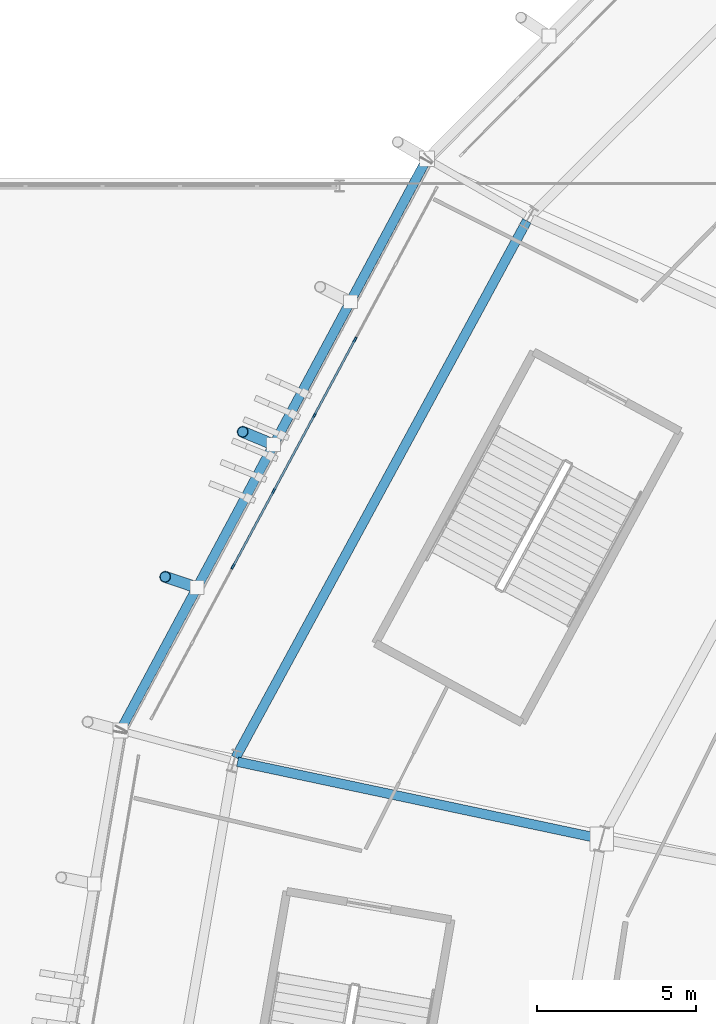
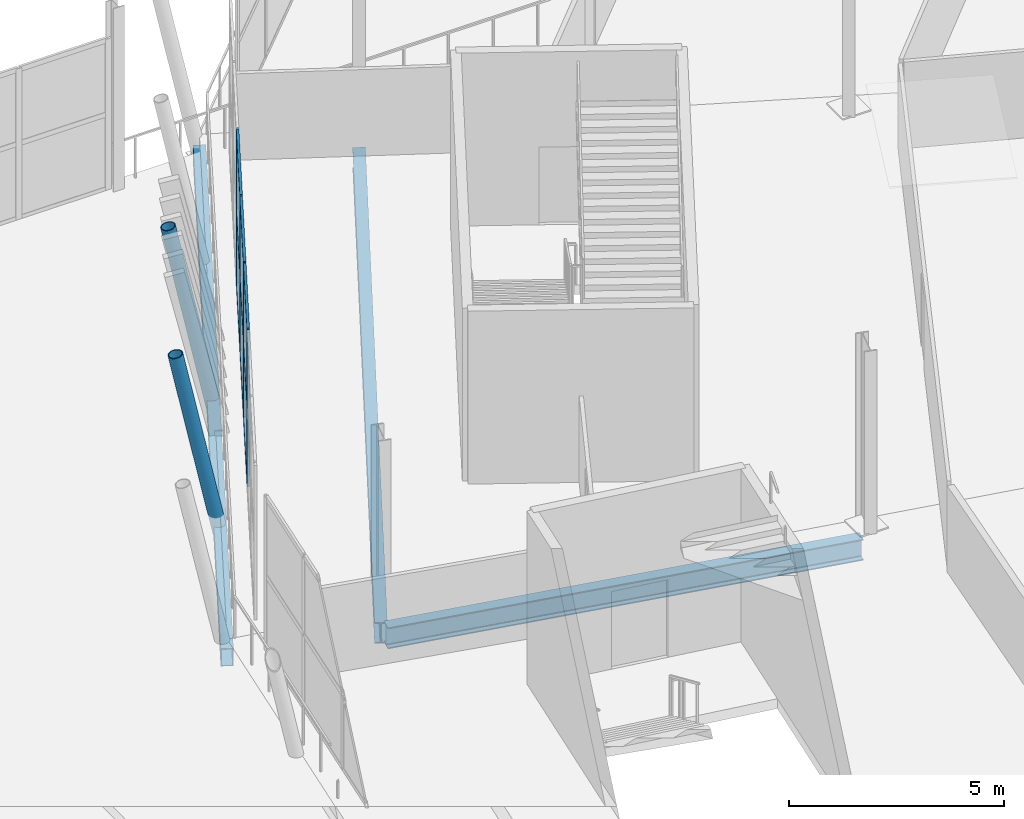
# One storey, part 41 of 168: 15 members, 3 beams, 1 element without a shape of its own.
"""IFC4 building model written with IfcOpenShell, lengths in metres."""

from ifc_helpers import new_model, si_unit, direction, frame, origin, origin_2d, place, context, subcontext, project, spatial, rectangle, hollow_rectangle, hollow_circle, i_section, extrude, material, material_profile, profile_set, type_object, element, aggregate, save


model = new_model("IFC4")

# Units and contexts
model_context = context("Model", 3, precision=1e-05, world=origin(), true_north=direction((0.0, 1.0)))
body_context = subcontext(model_context, "Body", "Model", "MODEL_VIEW")
ifc_project = project(units=[si_unit("LENGTHUNIT", "METRE"), si_unit("AREAUNIT", "SQUARE_METRE"), si_unit("VOLUMEUNIT", "CUBIC_METRE"), si_unit("PLANEANGLEUNIT", "RADIAN"), si_unit("MASSUNIT", "GRAM", prefix="KILO")], contexts=[model_context])

# Site, building, storey
site_placement = place(None, origin())
site = spatial("IfcSite", under=ifc_project, at=site_placement, CompositionType="ELEMENT")
building_placement = place(site_placement, origin())
building = spatial("IfcBuilding", under=site, at=building_placement, Name="Zlatoyarsky Gate Stadium", CompositionType="ELEMENT")
storey_placement = place(building_placement, frame((0.0, 0.0, 15.60009765625)))
storey = spatial("IfcBuildingStorey", under=building, at=storey_placement, Name="L03", CompositionType="ELEMENT", Elevation=15.60009765625)

# Curtain wall, members
ifc_material_1 = material(Name="Thermally broken anodised aluminium curtain wall", Category="aluminium")
curtain_wall_type = type_object("IfcCurtainWallType", Name="UNITISED CORPORATE BOX GLAZING L03", PredefinedType="USERDEFINED", material=ifc_material_1)
curtain_wall_placement = place(storey_placement, origin())
curtain_wall = element("IfcCurtainWall", 1, at=curtain_wall_placement, inside=storey, type_object=curtain_wall_type, Name="Curtain wall CW-L03-10", ObjectType="UNITISED GLAZING", PredefinedType="USERDEFINED")
ifc_material_2 = material(Name="Anodised aluminium 6063-T6", Category="aluminium")
ifc_material_profile_1 = material_profile(ifc_material_2, rectangle(XDim=0.06494140625, YDim=0.159912109375, at=origin_2d()), Name="ALU 65X160")
ifc_profile_set_1 = profile_set([ifc_material_profile_1], Name="Anodised aluminium 6063-T6")
member_type_1 = type_object("IfcMemberType", Name="ALUMINIUM MULLION 65X160", PredefinedType="MULLION", material=ifc_profile_set_1)
member_1_placement = place(storey_placement, frame((24.987548828125, 111.65625, 0.0), z_axis=(0.0, 0.0, 1.0), x_axis=(0.880877202392, -0.473344857694, 0.0)))
member_1 = element("IfcMember", 2, at=member_1_placement, type_object=member_type_1, Name="CW-UG3 mullion 3", PredefinedType="MULLION", context=body_context, shape_type="SweptSolid", body=[
    extrude(rectangle(XDim=0.06494140625, YDim=0.159912109375, at=origin_2d()), origin(), (0.0, 0.0, 1.0), 4.3798828125),
])
member_2_placement = place(storey_placement, frame((23.705322265625, 109.270263671875, 0.0), z_axis=(0.0, 0.0, 1.0), x_axis=(0.880877202392, -0.473344857694, 0.0)))
member_2 = element("IfcMember", 3, at=member_2_placement, type_object=member_type_1, Name="CW-UG3 mullion 4", PredefinedType="MULLION", context=body_context, shape_type="SweptSolid", body=[
    extrude(rectangle(XDim=0.06494140625, YDim=0.159912109375, at=origin_2d()), origin(), (0.0, 0.0, 1.0), 4.3798828125),
])
member_3_placement = place(storey_placement, frame((22.42333984375, 106.884033203125, 0.0), z_axis=(0.0, 0.0, 1.0), x_axis=(0.880877202392, -0.473344857694, 0.0)))
member_3 = element("IfcMember", 4, at=member_3_placement, type_object=member_type_1, Name="CW-UG3 mullion 5", PredefinedType="MULLION", context=body_context, shape_type="SweptSolid", body=[
    extrude(rectangle(XDim=0.06494140625, YDim=0.159912109375, at=origin_2d()), origin(), (0.0, 0.0, 1.0), 4.3798828125),
])
member_4_placement = place(storey_placement, frame((21.14111328125, 104.498046875, 0.0), z_axis=(0.0, 0.0, 1.0), x_axis=(0.880877202392, -0.473344857694, 0.0)))
member_4 = element("IfcMember", 5, at=member_4_placement, type_object=member_type_1, Name="CW-UG3 mullion 6", PredefinedType="MULLION", context=body_context, shape_type="SweptSolid", body=[
    extrude(rectangle(XDim=0.06494140625, YDim=0.159912109375, at=origin_2d()), origin(), (0.0, 0.0, 1.0), 4.3798828125),
])
ifc_material_profile_2 = material_profile(ifc_material_2, rectangle(XDim=0.06494140625, YDim=0.139892578125, at=origin_2d()), Name="ALU 65X140")
ifc_profile_set_2 = profile_set([ifc_material_profile_2], Name="Anodised aluminium 6063-T6")
member_type_2 = type_object("IfcMemberType", Name="ALUMINIUM TRANSOM 65X140", PredefinedType="USERDEFINED", material=ifc_profile_set_2)
member_5_placement = place(storey_placement, frame((24.97216796875, 111.627685546875, 0.032470703125), z_axis=(-0.473284583402, -0.880909588502, 0.0), x_axis=(0.880909588502, -0.473284583402, 0.0)))
member_5 = element("IfcMember", 6, at=member_5_placement, type_object=member_type_2, Name="CW-UG3 transom 3.1", ObjectType="TRANSOM", PredefinedType="USERDEFINED", context=body_context, shape_type="SweptSolid", body=[
    extrude(rectangle(XDim=0.06494140625, YDim=0.139892578125, at=origin_2d()), origin(), (0.0, 0.0, 1.0), 2.643798828125),
])
member_6_placement = place(storey_placement, frame((24.97216796875, 111.627685546875, 2.14990234375), z_axis=(-0.473284583402, -0.880909588502, 0.0), x_axis=(0.880909588502, -0.473284583402, 0.0)))
member_6 = element("IfcMember", 7, at=member_6_placement, type_object=member_type_2, Name="CW-UG3 transom 3.2", ObjectType="TRANSOM", PredefinedType="USERDEFINED", context=body_context, shape_type="SweptSolid", body=[
    extrude(rectangle(XDim=0.06494140625, YDim=0.139892578125, at=origin_2d()), origin(), (0.0, 0.0, 1.0), 2.643798828125),
])
member_7_placement = place(storey_placement, frame((24.97216796875, 111.627685546875, 4.347412109375), z_axis=(-0.473284583402, -0.880909588502, 0.0), x_axis=(0.880909588502, -0.473284583402, 0.0)))
member_7 = element("IfcMember", 8, at=member_7_placement, type_object=member_type_2, Name="CW-UG3 transom 3.3", ObjectType="TRANSOM", PredefinedType="USERDEFINED", context=body_context, shape_type="SweptSolid", body=[
    extrude(rectangle(XDim=0.06494140625, YDim=0.139892578125, at=origin_2d()), origin(), (0.0, 0.0, 1.0), 2.643798828125),
])
member_8_placement = place(storey_placement, frame((23.68994140625, 109.241455078125, 0.032470703125), z_axis=(-0.473323087984, -0.880888900135, 0.0), x_axis=(0.880888900135, -0.473323087984, 0.0)))
member_8 = element("IfcMember", 9, at=member_8_placement, type_object=member_type_2, Name="CW-UG3 transom 4.1", ObjectType="TRANSOM", PredefinedType="USERDEFINED", context=body_context, shape_type="SweptSolid", body=[
    extrude(rectangle(XDim=0.06494140625, YDim=0.139892578125, at=origin_2d()), origin(), (0.0, 0.0, 1.0), 2.6435546875),
])
member_9_placement = place(storey_placement, frame((23.68994140625, 109.241455078125, 2.14990234375), z_axis=(-0.473323087984, -0.880888900135, 0.0), x_axis=(0.880888900135, -0.473323087984, 0.0)))
member_9 = element("IfcMember", 10, at=member_9_placement, type_object=member_type_2, Name="CW-UG3 transom 4.2", ObjectType="TRANSOM", PredefinedType="USERDEFINED", context=body_context, shape_type="SweptSolid", body=[
    extrude(rectangle(XDim=0.06494140625, YDim=0.139892578125, at=origin_2d()), origin(), (0.0, 0.0, 1.0), 2.6435546875),
])
member_10_placement = place(storey_placement, frame((23.68994140625, 109.241455078125, 4.347412109375), z_axis=(-0.473323087984, -0.880888900135, 0.0), x_axis=(0.880888900135, -0.473323087984, 0.0)))
member_10 = element("IfcMember", 11, at=member_10_placement, type_object=member_type_2, Name="CW-UG3 transom 4.3", ObjectType="TRANSOM", PredefinedType="USERDEFINED", context=body_context, shape_type="SweptSolid", body=[
    extrude(rectangle(XDim=0.06494140625, YDim=0.139892578125, at=origin_2d()), origin(), (0.0, 0.0, 1.0), 2.6435546875),
])
member_11_placement = place(storey_placement, frame((22.407958984375, 106.85546875, 0.032470703125), z_axis=(-0.473356241073, -0.880871085368, 0.0), x_axis=(0.880871085368, -0.473356241073, 0.0)))
member_11 = element("IfcMember", 12, at=member_11_placement, type_object=member_type_2, Name="CW-UG3 transom 5.1", ObjectType="TRANSOM", PredefinedType="USERDEFINED", context=body_context, shape_type="SweptSolid", body=[
    extrude(rectangle(XDim=0.06494140625, YDim=0.139892578125, at=origin_2d()), origin(), (0.0, 0.0, 1.0), 2.643798828125),
])
member_12_placement = place(storey_placement, frame((22.407958984375, 106.85546875, 2.14990234375), z_axis=(-0.473356241073, -0.880871085368, 0.0), x_axis=(0.880871085368, -0.473356241073, 0.0)))
member_12 = element("IfcMember", 13, at=member_12_placement, type_object=member_type_2, Name="CW-UG3 transom 5.2", ObjectType="TRANSOM", PredefinedType="USERDEFINED", context=body_context, shape_type="SweptSolid", body=[
    extrude(rectangle(XDim=0.06494140625, YDim=0.139892578125, at=origin_2d()), origin(), (0.0, 0.0, 1.0), 2.643798828125),
])
member_13_placement = place(storey_placement, frame((22.407958984375, 106.85546875, 4.347412109375), z_axis=(-0.473356241073, -0.880871085368, 0.0), x_axis=(0.880871085368, -0.473356241073, 0.0)))
member_13 = element("IfcMember", 14, at=member_13_placement, type_object=member_type_2, Name="CW-UG3 transom 5.3", ObjectType="TRANSOM", PredefinedType="USERDEFINED", context=body_context, shape_type="SweptSolid", body=[
    extrude(rectangle(XDim=0.06494140625, YDim=0.139892578125, at=origin_2d()), origin(), (0.0, 0.0, 1.0), 2.643798828125),
])
aggregate(curtain_wall, [member_1, member_2, member_3, member_4, member_5, member_6, member_7, member_8, member_9, member_10, member_11, member_12, member_13])

# Members
ifc_material_3 = material(Name="Steel S355", Category="steel")
ifc_material_profile_3 = material_profile(ifc_material_3, hollow_circle(Radius=0.177734375, WallThickness=0.02001953125, at=origin_2d()), Name="CHS 355.6X20")
ifc_profile_set_3 = profile_set([ifc_material_profile_3], Name="Steel S355")
member_type_3 = type_object("IfcMemberType", Name="STEEL LEANING RIB RING STRUT CHS 355.6X20", PredefinedType="STRUT", material=ifc_profile_set_3)
member_14_placement = place(storey_placement, frame((22.423095703125, 108.3427734375, -0.530029296875), z_axis=(-0.184942906373, 0.076609308782, 0.97975871274), x_axis=(-0.382698137168, -0.923873441445, 0.0)))
element("IfcMember", 15, at=member_14_placement, inside=storey, type_object=member_type_3, Name="Outward-leaning bowl louvre fin rib L03 10-2", PredefinedType="STRUT", context=body_context, shape_type="SweptSolid", body=[
    extrude(hollow_circle(Radius=0.177734375, WallThickness=0.02001953125, at=origin_2d()), origin(), (0.0, 0.0, 1.0), 5.286865234375),
])
member_15_placement = place(storey_placement, frame((20.008056640625, 103.838623046875, -0.530029296875), z_axis=(-0.189960366827, 0.064412909996, 0.979676495615), x_axis=(-0.321126768229, -0.947036218276, 0.0)))
element("IfcMember", 16, at=member_15_placement, inside=storey, type_object=member_type_3, Name="Outward-leaning bowl louvre fin rib L03 10-3", PredefinedType="STRUT", context=body_context, shape_type="SweptSolid", body=[
    extrude(hollow_circle(Radius=0.177734375, WallThickness=0.02001953125, at=origin_2d()), origin(), (0.0, 0.0, 1.0), 5.287353515625),
])

# Beams
ifc_material_profile_4 = material_profile(ifc_material_3, hollow_rectangle(XDim=0.300048828125, YDim=0.5, WallThickness=0.02001953125, at=origin_2d()), Name="RHS 500X300X20")
ifc_profile_set_4 = profile_set([ifc_material_profile_4], Name="Steel S355")
beam_type_1 = type_object("IfcBeamType", Name="STEEL LOUVRE CARRIER SPANDREL RHS 500X300X20", PredefinedType="SPANDREL", material=ifc_profile_set_4)
beam_1_placement = place(storey_placement, frame((27.243896484375, 117.33349609375, -0.530029296875), z_axis=(-0.472552104089, -0.88130273398, 0.0), x_axis=(0.88130273398, -0.472552104089, 0.0)))
element("IfcBeam", 17, at=beam_1_placement, inside=storey, type_object=beam_type_1, Name="Beam SP-RHS500 BM-L03-SPD-10", PredefinedType="SPANDREL", context=body_context, shape_type="SweptSolid", body=[
    extrude(hollow_rectangle(XDim=0.300048828125, YDim=0.5, WallThickness=0.02001953125, at=origin_2d()), origin(), (0.0, 0.0, 1.0), 20.4033203125),
])
ifc_material_profile_5 = material_profile(ifc_material_3, i_section(OverallWidth=0.300048828125, OverallDepth=0.60009765625, WebThickness=0.015380859375, FlangeThickness=0.030029296875, FilletRadius=0.027099609375, at=origin_2d()), Name="HEB 600")
ifc_profile_set_5 = profile_set([ifc_material_profile_5], Name="Steel S355")
beam_type_2 = type_object("IfcBeamType", Name="STEEL PRIMARY GIRDER HEB 600", PredefinedType="BEAM", material=ifc_profile_set_5)
beam_2_placement = place(storey_placement, frame((30.40234375, 115.39453125, -0.580078125), z_axis=(-0.476891650323, -0.878962088973, 0.0), x_axis=(0.878962088973, -0.476891650323, 0.0)))
element("IfcBeam", 18, at=beam_2_placement, inside=storey, type_object=beam_type_2, Name="Beam G-HEB600 BM-L03-CRC-10", PredefinedType="BEAM", context=body_context, shape_type="SweptSolid", body=[
    extrude(i_section(OverallWidth=0.300048828125, OverallDepth=0.60009765625, WebThickness=0.015380859375, FlangeThickness=0.030029296875, FilletRadius=0.027099609375, at=origin_2d()), origin(), (0.0, 0.0, 1.0), 19.241943359375),
])
beam_3_placement = place(storey_placement, frame((32.642578125, 95.9423828125, -0.580078125), z_axis=(-0.978233348926, 0.207507867438, 0.0), x_axis=(-0.207507867438, -0.978233348926, 0.0)))
element("IfcBeam", 19, at=beam_3_placement, inside=storey, type_object=beam_type_2, Name="Beam G-HEB600 BM-L03-RBC-11", PredefinedType="BEAM", context=body_context, shape_type="SweptSolid", body=[
    extrude(i_section(OverallWidth=0.300048828125, OverallDepth=0.60009765625, WebThickness=0.015380859375, FlangeThickness=0.030029296875, FilletRadius=0.027099609375, at=origin_2d()), origin(), (0.0, 0.0, 1.0), 11.60888671875),
])

save(model, "model.ifc")
